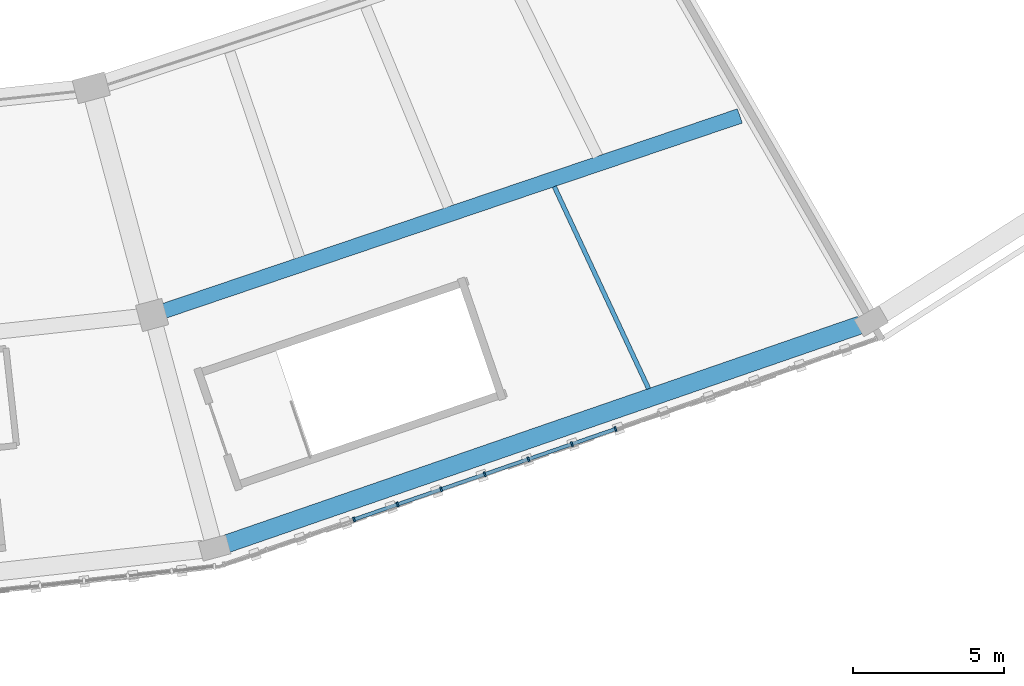
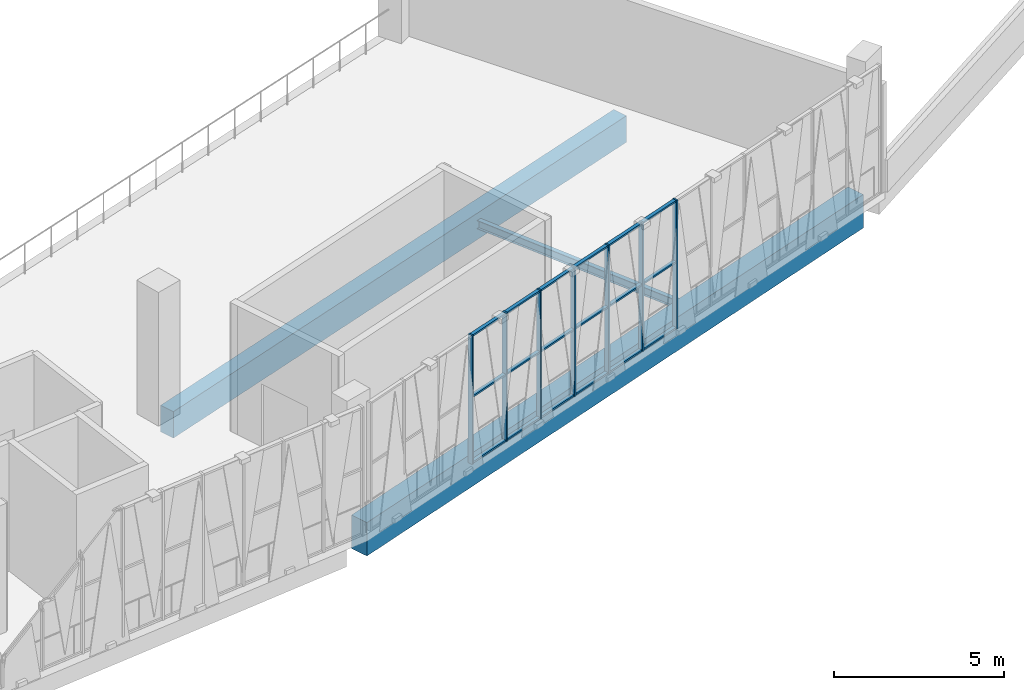
# One storey, part 10 of 64: 25 members, 3 beams, 1 element without a shape of its own.
"""IFC4 building model written with IfcOpenShell, lengths in metres."""

from ifc_helpers import new_model, si_unit, direction, frame, origin, origin_2d, place, context, subcontext, project, spatial, rectangle, i_section, extrude, material, material_profile, profile_set, type_object, element, aggregate, save


model = new_model("IFC4")

# Units and contexts
model_context = context("Model", 3, precision=1e-05, world=origin(), true_north=direction((0.0, 1.0)))
body_context = subcontext(model_context, "Body", "Model", "MODEL_VIEW")
ifc_project = project(units=[si_unit("LENGTHUNIT", "METRE"), si_unit("AREAUNIT", "SQUARE_METRE"), si_unit("VOLUMEUNIT", "CUBIC_METRE"), si_unit("PLANEANGLEUNIT", "RADIAN"), si_unit("MASSUNIT", "GRAM", prefix="KILO")], contexts=[model_context])

# Site, building, storey
site_placement = place(None, origin())
site = spatial("IfcSite", under=ifc_project, at=site_placement, CompositionType="ELEMENT")
building_placement = place(site_placement, origin())
building = spatial("IfcBuilding", under=site, at=building_placement, Name="Zevraka Park Crest Stadium", CompositionType="ELEMENT")
storey_placement = place(building_placement, frame((0.0, 0.0, 24.60009765625)))
storey = spatial("IfcBuildingStorey", under=building, at=storey_placement, Name="L05", CompositionType="ELEMENT", Elevation=24.60009765625)

# Curtain wall, members
ifc_material_1 = material(Name="Anodised architectural aluminium and laminated safety glass", Category="aluminium")
curtain_wall_type = type_object("IfcCurtainWallType", Name="CW22", PredefinedType="NOTDEFINED", material=ifc_material_1)
curtain_wall_placement = place(storey_placement, origin())
curtain_wall = element("IfcCurtainWall", 1, at=curtain_wall_placement, inside=storey, type_object=curtain_wall_type, Name="Unitised Ring Curtain Wall CW22 L05-19", PredefinedType="NOTDEFINED")
ifc_material_2 = material(Name="Anodised architectural aluminium", Category="aluminium")
ifc_material_profile_1 = material_profile(ifc_material_2, rectangle(XDim=0.159912109375, YDim=0.06005859375, at=origin_2d()), Name="ALU MULLION 160x60")
ifc_profile_set_1 = profile_set([ifc_material_profile_1], Name="Anodised architectural aluminium")
member_type_1 = type_object("IfcMemberType", Name="CM01", PredefinedType="MULLION", material=ifc_profile_set_1)
member_1_placement = place(storey_placement, frame((139.99560546875, 20.211181640625, 0.0), z_axis=(0.0, 0.0, 1.0), x_axis=(-0.326929424834, 0.945048755979, 0.0)))
member_1 = element("IfcMember", 2, at=member_1_placement, type_object=member_type_1, Name="CW22 mullion 4", PredefinedType="MULLION", context=body_context, shape_type="SweptSolid", body=[
    extrude(rectangle(XDim=0.159912109375, YDim=0.06005859375, at=origin_2d()), origin(), (0.0, 0.0, 1.0), 4.619873046875),
])
member_2_placement = place(storey_placement, frame((141.441162109375, 20.711181640625, 0.0), z_axis=(0.0, 0.0, 1.0), x_axis=(-0.326929424834, 0.945048755979, 0.0)))
member_2 = element("IfcMember", 3, at=member_2_placement, type_object=member_type_1, Name="CW22 mullion 5", PredefinedType="MULLION", context=body_context, shape_type="SweptSolid", body=[
    extrude(rectangle(XDim=0.159912109375, YDim=0.06005859375, at=origin_2d()), origin(), (0.0, 0.0, 1.0), 4.619873046875),
])
member_3_placement = place(storey_placement, frame((142.88671875, 21.21142578125, 0.0), z_axis=(0.0, 0.0, 1.0), x_axis=(-0.326929424834, 0.945048755979, 0.0)))
member_3 = element("IfcMember", 4, at=member_3_placement, type_object=member_type_1, Name="CW22 mullion 6", PredefinedType="MULLION", context=body_context, shape_type="SweptSolid", body=[
    extrude(rectangle(XDim=0.159912109375, YDim=0.06005859375, at=origin_2d()), origin(), (0.0, 0.0, 1.0), 4.619873046875),
])
member_4_placement = place(storey_placement, frame((144.332275390625, 21.71142578125, 0.0), z_axis=(0.0, 0.0, 1.0), x_axis=(-0.326929424834, 0.945048755979, 0.0)))
member_4 = element("IfcMember", 5, at=member_4_placement, type_object=member_type_1, Name="CW22 mullion 7", PredefinedType="MULLION", context=body_context, shape_type="SweptSolid", body=[
    extrude(rectangle(XDim=0.159912109375, YDim=0.06005859375, at=origin_2d()), origin(), (0.0, 0.0, 1.0), 4.619873046875),
])
member_5_placement = place(storey_placement, frame((145.77783203125, 22.21142578125, 0.0), z_axis=(0.0, 0.0, 1.0), x_axis=(-0.326929424834, 0.945048755979, 0.0)))
member_5 = element("IfcMember", 6, at=member_5_placement, type_object=member_type_1, Name="CW22 mullion 8", PredefinedType="MULLION", context=body_context, shape_type="SweptSolid", body=[
    extrude(rectangle(XDim=0.159912109375, YDim=0.06005859375, at=origin_2d()), origin(), (0.0, 0.0, 1.0), 4.619873046875),
])
member_6_placement = place(storey_placement, frame((147.223388671875, 22.71142578125, 0.0), z_axis=(0.0, 0.0, 1.0), x_axis=(-0.326929424834, 0.945048755979, 0.0)))
member_6 = element("IfcMember", 7, at=member_6_placement, type_object=member_type_1, Name="CW22 mullion 9", PredefinedType="MULLION", context=body_context, shape_type="SweptSolid", body=[
    extrude(rectangle(XDim=0.159912109375, YDim=0.06005859375, at=origin_2d()), origin(), (0.0, 0.0, 1.0), 4.619873046875),
])
member_7_placement = place(storey_placement, frame((148.668701171875, 23.211669921875, 0.0), z_axis=(0.0, 0.0, 1.0), x_axis=(-0.326929424834, 0.945048755979, 0.0)))
member_7 = element("IfcMember", 8, at=member_7_placement, type_object=member_type_1, Name="CW22 mullion 10", PredefinedType="MULLION", context=body_context, shape_type="SweptSolid", body=[
    extrude(rectangle(XDim=0.159912109375, YDim=0.06005859375, at=origin_2d()), origin(), (0.0, 0.0, 1.0), 4.619873046875),
])
ifc_material_3 = material(Name="Anodised architectural aluminium", Category="aluminium")
ifc_material_profile_2 = material_profile(ifc_material_3, rectangle(XDim=0.1201171875, YDim=0.06005859375, at=origin_2d()), Name="ALU TRANSOM 120x60")
ifc_profile_set_2 = profile_set([ifc_material_profile_2], Name="Anodised architectural aluminium")
member_type_2 = type_object("IfcMemberType", Name="CT01", PredefinedType="USERDEFINED", material=ifc_profile_set_2)
member_8_placement = place(storey_placement, frame((140.02392578125, 20.220947265625, 0.02978515625), z_axis=(0.945051229525, 0.326922274513, 0.0), x_axis=(-0.326922274513, 0.945051229525, 0.0)))
member_8 = element("IfcMember", 9, at=member_8_placement, type_object=member_type_2, Name="CW22 transom 4.1", ObjectType="TRANSOM", PredefinedType="USERDEFINED", context=body_context, shape_type="SweptSolid", body=[
    extrude(rectangle(XDim=0.1201171875, YDim=0.06005859375, at=origin_2d()), origin(), (0.0, 0.0, 1.0), 1.4697265625),
])
member_9_placement = place(storey_placement, frame((140.02392578125, 20.220947265625, 2.39990234375), z_axis=(0.945051229525, 0.326922274513, 0.0), x_axis=(-0.326922274513, 0.945051229525, 0.0)))
member_9 = element("IfcMember", 10, at=member_9_placement, type_object=member_type_2, Name="CW22 transom 4.2", ObjectType="TRANSOM", PredefinedType="USERDEFINED", context=body_context, shape_type="SweptSolid", body=[
    extrude(rectangle(XDim=0.1201171875, YDim=0.06005859375, at=origin_2d()), origin(), (0.0, 0.0, 1.0), 1.4697265625),
])
member_10_placement = place(storey_placement, frame((140.02392578125, 20.220947265625, 4.58984375), z_axis=(0.945051229525, 0.326922274513, 0.0), x_axis=(-0.326922274513, 0.945051229525, 0.0)))
member_10 = element("IfcMember", 11, at=member_10_placement, type_object=member_type_2, Name="CW22 transom 4.3", ObjectType="TRANSOM", PredefinedType="USERDEFINED", context=body_context, shape_type="SweptSolid", body=[
    extrude(rectangle(XDim=0.1201171875, YDim=0.06005859375, at=origin_2d()), origin(), (0.0, 0.0, 1.0), 1.4697265625),
])
member_11_placement = place(storey_placement, frame((141.469482421875, 20.72119140625, 0.02978515625), z_axis=(0.945102544521, 0.326773897886, 0.0), x_axis=(-0.326773897886, 0.945102544521, 0.0)))
member_11 = element("IfcMember", 12, at=member_11_placement, type_object=member_type_2, Name="CW22 transom 5.1", ObjectType="TRANSOM", PredefinedType="USERDEFINED", context=body_context, shape_type="SweptSolid", body=[
    extrude(rectangle(XDim=0.1201171875, YDim=0.06005859375, at=origin_2d()), origin(), (0.0, 0.0, 1.0), 1.469482421875),
])
member_12_placement = place(storey_placement, frame((141.469482421875, 20.72119140625, 2.39990234375), z_axis=(0.945102544521, 0.326773897886, 0.0), x_axis=(-0.326773897886, 0.945102544521, 0.0)))
member_12 = element("IfcMember", 13, at=member_12_placement, type_object=member_type_2, Name="CW22 transom 5.2", ObjectType="TRANSOM", PredefinedType="USERDEFINED", context=body_context, shape_type="SweptSolid", body=[
    extrude(rectangle(XDim=0.1201171875, YDim=0.06005859375, at=origin_2d()), origin(), (0.0, 0.0, 1.0), 1.469482421875),
])
member_13_placement = place(storey_placement, frame((141.469482421875, 20.72119140625, 4.58984375), z_axis=(0.945102544521, 0.326773897886, 0.0), x_axis=(-0.326773897886, 0.945102544521, 0.0)))
member_13 = element("IfcMember", 14, at=member_13_placement, type_object=member_type_2, Name="CW22 transom 5.3", ObjectType="TRANSOM", PredefinedType="USERDEFINED", context=body_context, shape_type="SweptSolid", body=[
    extrude(rectangle(XDim=0.1201171875, YDim=0.06005859375, at=origin_2d()), origin(), (0.0, 0.0, 1.0), 1.469482421875),
])
member_14_placement = place(storey_placement, frame((142.9150390625, 21.22119140625, 0.02978515625), z_axis=(0.945051229525, 0.326922274513, 0.0), x_axis=(-0.326922274513, 0.945051229525, 0.0)))
member_14 = element("IfcMember", 15, at=member_14_placement, type_object=member_type_2, Name="CW22 transom 6.1", ObjectType="TRANSOM", PredefinedType="USERDEFINED", context=body_context, shape_type="SweptSolid", body=[
    extrude(rectangle(XDim=0.1201171875, YDim=0.06005859375, at=origin_2d()), origin(), (0.0, 0.0, 1.0), 1.4697265625),
])
member_15_placement = place(storey_placement, frame((142.9150390625, 21.22119140625, 2.39990234375), z_axis=(0.945051229525, 0.326922274513, 0.0), x_axis=(-0.326922274513, 0.945051229525, 0.0)))
member_15 = element("IfcMember", 16, at=member_15_placement, type_object=member_type_2, Name="CW22 transom 6.2", ObjectType="TRANSOM", PredefinedType="USERDEFINED", context=body_context, shape_type="SweptSolid", body=[
    extrude(rectangle(XDim=0.1201171875, YDim=0.06005859375, at=origin_2d()), origin(), (0.0, 0.0, 1.0), 1.4697265625),
])
member_16_placement = place(storey_placement, frame((142.9150390625, 21.22119140625, 4.58984375), z_axis=(0.945051229525, 0.326922274513, 0.0), x_axis=(-0.326922274513, 0.945051229525, 0.0)))
member_16 = element("IfcMember", 17, at=member_16_placement, type_object=member_type_2, Name="CW22 transom 6.3", ObjectType="TRANSOM", PredefinedType="USERDEFINED", context=body_context, shape_type="SweptSolid", body=[
    extrude(rectangle(XDim=0.1201171875, YDim=0.06005859375, at=origin_2d()), origin(), (0.0, 0.0, 1.0), 1.4697265625),
])
member_17_placement = place(storey_placement, frame((144.360595703125, 21.72119140625, 0.02978515625), z_axis=(0.945033470844, 0.326973605946, 0.0), x_axis=(-0.326973605946, 0.945033470844, 0.0)))
member_17 = element("IfcMember", 18, at=member_17_placement, type_object=member_type_2, Name="CW22 transom 7.1", ObjectType="TRANSOM", PredefinedType="USERDEFINED", context=body_context, shape_type="SweptSolid", body=[
    extrude(rectangle(XDim=0.1201171875, YDim=0.06005859375, at=origin_2d()), origin(), (0.0, 0.0, 1.0), 1.469482421875),
])
member_18_placement = place(storey_placement, frame((144.360595703125, 21.72119140625, 2.39990234375), z_axis=(0.945033470844, 0.326973605946, 0.0), x_axis=(-0.326973605946, 0.945033470844, 0.0)))
member_18 = element("IfcMember", 19, at=member_18_placement, type_object=member_type_2, Name="CW22 transom 7.2", ObjectType="TRANSOM", PredefinedType="USERDEFINED", context=body_context, shape_type="SweptSolid", body=[
    extrude(rectangle(XDim=0.1201171875, YDim=0.06005859375, at=origin_2d()), origin(), (0.0, 0.0, 1.0), 1.469482421875),
])
member_19_placement = place(storey_placement, frame((144.360595703125, 21.72119140625, 4.58984375), z_axis=(0.945033470844, 0.326973605946, 0.0), x_axis=(-0.326973605946, 0.945033470844, 0.0)))
member_19 = element("IfcMember", 20, at=member_19_placement, type_object=member_type_2, Name="CW22 transom 7.3", ObjectType="TRANSOM", PredefinedType="USERDEFINED", context=body_context, shape_type="SweptSolid", body=[
    extrude(rectangle(XDim=0.1201171875, YDim=0.06005859375, at=origin_2d()), origin(), (0.0, 0.0, 1.0), 1.469482421875),
])
member_20_placement = place(storey_placement, frame((145.80615234375, 22.22119140625, 0.02978515625), z_axis=(0.945033470844, 0.326973605946, 0.0), x_axis=(-0.326973605946, 0.945033470844, 0.0)))
member_20 = element("IfcMember", 21, at=member_20_placement, type_object=member_type_2, Name="CW22 transom 8.1", ObjectType="TRANSOM", PredefinedType="USERDEFINED", context=body_context, shape_type="SweptSolid", body=[
    extrude(rectangle(XDim=0.1201171875, YDim=0.06005859375, at=origin_2d()), origin(), (0.0, 0.0, 1.0), 1.469482421875),
])
member_21_placement = place(storey_placement, frame((145.80615234375, 22.22119140625, 2.39990234375), z_axis=(0.945033470844, 0.326973605946, 0.0), x_axis=(-0.326973605946, 0.945033470844, 0.0)))
member_21 = element("IfcMember", 22, at=member_21_placement, type_object=member_type_2, Name="CW22 transom 8.2", ObjectType="TRANSOM", PredefinedType="USERDEFINED", context=body_context, shape_type="SweptSolid", body=[
    extrude(rectangle(XDim=0.1201171875, YDim=0.06005859375, at=origin_2d()), origin(), (0.0, 0.0, 1.0), 1.469482421875),
])
member_22_placement = place(storey_placement, frame((145.80615234375, 22.22119140625, 4.58984375), z_axis=(0.945033470844, 0.326973605946, 0.0), x_axis=(-0.326973605946, 0.945033470844, 0.0)))
member_22 = element("IfcMember", 23, at=member_22_placement, type_object=member_type_2, Name="CW22 transom 8.3", ObjectType="TRANSOM", PredefinedType="USERDEFINED", context=body_context, shape_type="SweptSolid", body=[
    extrude(rectangle(XDim=0.1201171875, YDim=0.06005859375, at=origin_2d()), origin(), (0.0, 0.0, 1.0), 1.469482421875),
])
member_23_placement = place(storey_placement, frame((147.251708984375, 22.721435546875, 0.02978515625), z_axis=(0.945033470844, 0.326973605946, 0.0), x_axis=(-0.326973605946, 0.945033470844, 0.0)))
member_23 = element("IfcMember", 24, at=member_23_placement, type_object=member_type_2, Name="CW22 transom 9.1", ObjectType="TRANSOM", PredefinedType="USERDEFINED", context=body_context, shape_type="SweptSolid", body=[
    extrude(rectangle(XDim=0.1201171875, YDim=0.06005859375, at=origin_2d()), origin(), (0.0, 0.0, 1.0), 1.469482421875),
])
member_24_placement = place(storey_placement, frame((147.251708984375, 22.721435546875, 2.39990234375), z_axis=(0.945033470844, 0.326973605946, 0.0), x_axis=(-0.326973605946, 0.945033470844, 0.0)))
member_24 = element("IfcMember", 25, at=member_24_placement, type_object=member_type_2, Name="CW22 transom 9.2", ObjectType="TRANSOM", PredefinedType="USERDEFINED", context=body_context, shape_type="SweptSolid", body=[
    extrude(rectangle(XDim=0.1201171875, YDim=0.06005859375, at=origin_2d()), origin(), (0.0, 0.0, 1.0), 1.469482421875),
])
member_25_placement = place(storey_placement, frame((147.251708984375, 22.721435546875, 4.58984375), z_axis=(0.945033470844, 0.326973605946, 0.0), x_axis=(-0.326973605946, 0.945033470844, 0.0)))
member_25 = element("IfcMember", 26, at=member_25_placement, type_object=member_type_2, Name="CW22 transom 9.3", ObjectType="TRANSOM", PredefinedType="USERDEFINED", context=body_context, shape_type="SweptSolid", body=[
    extrude(rectangle(XDim=0.1201171875, YDim=0.06005859375, at=origin_2d()), origin(), (0.0, 0.0, 1.0), 1.469482421875),
])
aggregate(curtain_wall, [member_1, member_2, member_3, member_4, member_5, member_6, member_7, member_8, member_9, member_10, member_11, member_12, member_13, member_14, member_15, member_16, member_17, member_18, member_19, member_20, member_21, member_22, member_23, member_24, member_25])

# Beams
ifc_material_4 = material(Name="Concrete C40/50", Category="concrete")
ifc_material_profile_3 = material_profile(ifc_material_4, rectangle(XDim=0.60009765625, YDim=1.199951171875, at=origin_2d()), Name="RC 1200x600")
ifc_profile_set_3 = profile_set([ifc_material_profile_3], Name="Concrete C40/50")
beam_type_1 = type_object("IfcBeamType", Name="RB01", PredefinedType="BEAM", material=ifc_profile_set_3)
beam_1_placement = place(storey_placement, frame((135.72998046875, 19.389892578125, -0.610107421875), z_axis=(0.945210431582, 0.326461697644, 0.0), x_axis=(-0.326461697644, 0.945210431582, 0.0)))
element("IfcBeam", 27, at=beam_1_placement, inside=storey, type_object=beam_type_1, Name="Ring Beam RB01 L05-D-19", PredefinedType="BEAM", context=body_context, shape_type="SweptSolid", body=[
    extrude(rectangle(XDim=0.60009765625, YDim=1.199951171875, at=origin_2d()), origin(), (0.0, 0.0, 1.0), 22.28173828125),
])
ifc_material_5 = material(Name="Concrete C40/50", Category="concrete")
ifc_material_profile_4 = material_profile(ifc_material_5, rectangle(XDim=0.5, YDim=0.949951171875, at=origin_2d()), Name="RC 950x500")
ifc_profile_set_4 = profile_set([ifc_material_profile_4], Name="Concrete C40/50")
beam_type_2 = type_object("IfcBeamType", Name="RB02", PredefinedType="BEAM", material=ifc_profile_set_4)
beam_2_placement = place(storey_placement, frame((133.660888671875, 27.114990234375, -0.485107421875), z_axis=(0.947147952377, 0.320797064058, 0.0), x_axis=(-0.320797064058, 0.947147952377, 0.0)))
element("IfcBeam", 28, at=beam_2_placement, inside=storey, type_object=beam_type_2, Name="Ring Beam RB02 L05-C-19", PredefinedType="BEAM", context=body_context, shape_type="SweptSolid", body=[
    extrude(rectangle(XDim=0.5, YDim=0.949951171875, at=origin_2d()), origin(), (0.0, 0.0, 1.0), 20.196533203125),
])
ifc_material_6 = material(Name="Steel S355", Category="steel")
ifc_material_profile_5 = material_profile(ifc_material_6, i_section(OverallWidth=0.14990234375, OverallDepth=0.300048828125, WebThickness=0.007080078125, FlangeThickness=0.0107421875, at=origin_2d()), Name="IPE 300")
ifc_profile_set_5 = profile_set([ifc_material_profile_5], Name="Steel S355")
beam_type_3 = type_object("IfcBeamType", Name="SJ01", PredefinedType="JOIST", material=ifc_profile_set_5)
beam_3_placement = place(storey_placement, frame((146.636962890625, 31.2529296875, -0.418212890625), z_axis=(0.422910754133, -0.906171338125, 0.0), x_axis=(0.906171338125, 0.422910754133, 0.0)))
element("IfcBeam", 29, at=beam_3_placement, inside=storey, type_object=beam_type_3, Name="Floor Joist SJ01 L05-CD-19-2", PredefinedType="JOIST", context=body_context, shape_type="SweptSolid", body=[
    extrude(i_section(OverallWidth=0.14990234375, OverallDepth=0.300048828125, WebThickness=0.007080078125, FlangeThickness=0.0107421875, at=origin_2d()), origin(), (0.0, 0.0, 1.0), 7.399169921875),
])

save(model, "model.ifc")
